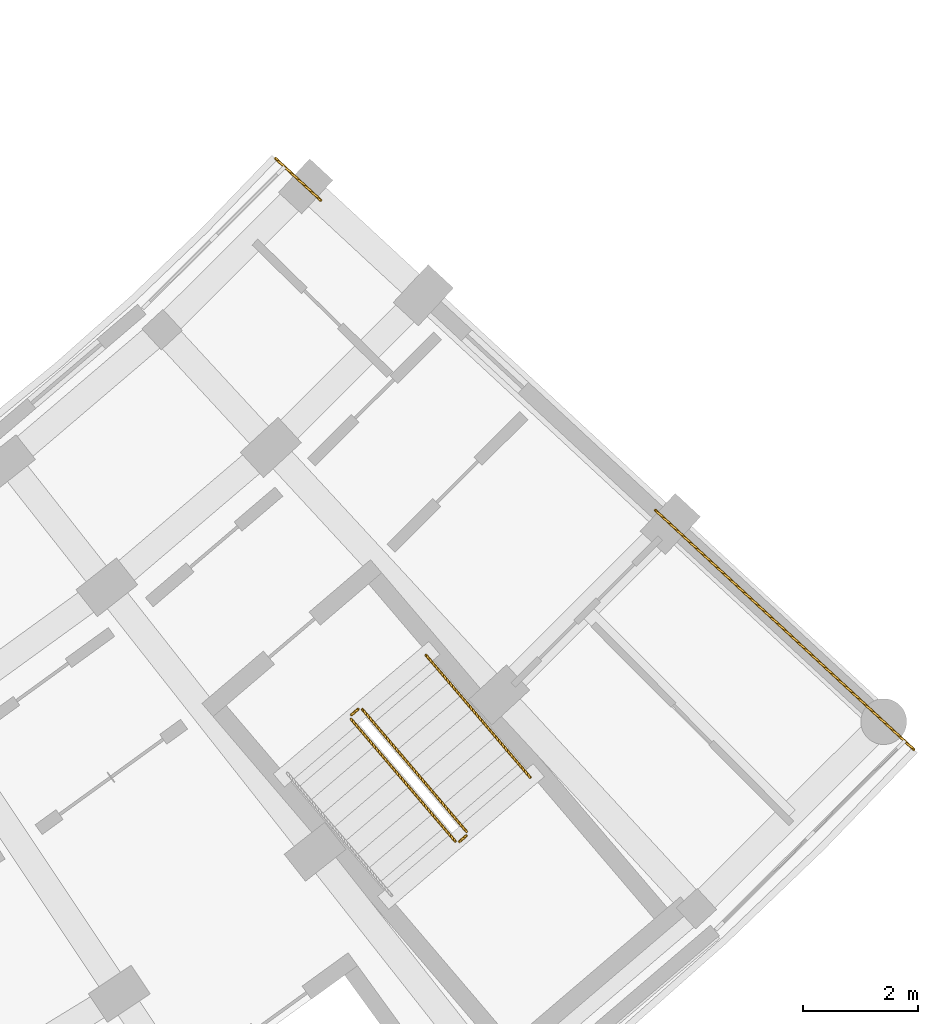
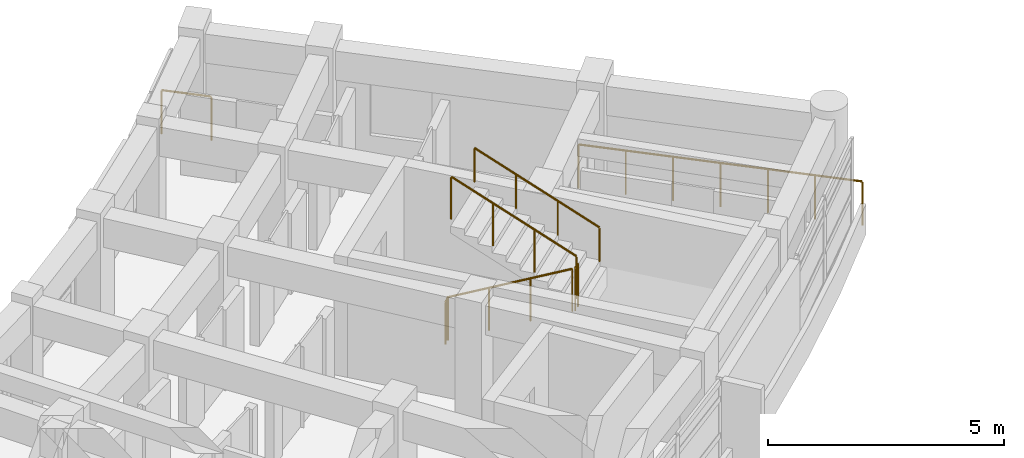
# One storey, part 70 of 70: 7 railings.
"""IFC4 building model written with IfcOpenShell, lengths in metres."""

from ifc_helpers import new_model, si_unit, direction, frame, origin, origin_2d, place, context, subcontext, project, spatial, circle, extrude, material, type_object, element, save


model = new_model("IFC4")

# Units and contexts
model_context = context("Model", 3, precision=1e-05, world=origin(), true_north=direction((0.0, 1.0)))
body_context = subcontext(model_context, "Body", "Model", "MODEL_VIEW")
ifc_project = project(units=[si_unit("LENGTHUNIT", "METRE"), si_unit("AREAUNIT", "SQUARE_METRE"), si_unit("VOLUMEUNIT", "CUBIC_METRE"), si_unit("PLANEANGLEUNIT", "RADIAN"), si_unit("MASSUNIT", "GRAM", prefix="KILO")], contexts=[model_context])

# Site, building, storey
site_placement = place(None, origin())
site = spatial("IfcSite", under=ifc_project, at=site_placement, CompositionType="ELEMENT")
building_placement = place(site_placement, origin())
building = spatial("IfcBuilding", under=site, at=building_placement, Name="Zimvara Arc Housing Community", CompositionType="ELEMENT")
storey_placement = place(building_placement, frame((0.0, 0.0, 8.10009765625)))
storey = spatial("IfcBuildingStorey", under=building, at=storey_placement, Name="L02", CompositionType="ELEMENT", Elevation=8.10009765625)

# Railings
ifc_material_1 = material(Name="Anodised Aluminium AW-6063", Category="aluminium")
railing_type_1 = type_object("IfcRailingType", Name="RLG-BAL-1120", PredefinedType="BALUSTRADE", material=ifc_material_1)
railing_1_placement = place(storey_placement, frame((159.87744140625, 69.900634765625, 0.15478515625)))
element("IfcRailing", 1, at=railing_1_placement, inside=storey, type_object=railing_type_1, Name="L02 ST-D2 stair guard 1", PredefinedType="BALUSTRADE", context=body_context, shape_type="SweptSolid", body=[
    extrude(circle(Radius=0.02392578125, at=origin_2d()), frame((0.0, 0.0, 1.09619140625), z_axis=(0.581041388364, -0.681489443978, 0.444930379672), x_axis=(0.760960200111, 0.648798561841, 0.0)), (0.0, 0.0, 1.0), 3.13525390625),
    extrude(circle(Radius=0.02099609375, at=origin_2d()), origin(), (0.0, 0.0, 1.0), 1.072021484375),
    extrude(circle(Radius=0.02099609375, at=origin_2d()), frame((0.607177734375, -0.712158203125, 0.465087890625)), (0.0, 0.0, 1.0), 1.072021484375),
    extrude(circle(Radius=0.02099609375, at=origin_2d()), frame((1.214599609375, -1.424560546875, 0.929931640625)), (0.0, 0.0, 1.0), 1.072021484375),
    extrude(circle(Radius=0.02099609375, at=origin_2d()), frame((1.82177734375, -2.13671875, 1.39501953125)), (0.0, 0.0, 1.0), 1.072021484375),
])
railing_2_placement = place(storey_placement, frame((161.76953125, 67.75830078125, 1.5498046875)))
element("IfcRailing", 2, at=railing_2_placement, inside=storey, type_object=railing_type_1, Name="L02 ST-D2 stair guard 2", PredefinedType="BALUSTRADE", context=body_context, shape_type="SweptSolid", body=[
    extrude(circle(Radius=0.02392578125, at=origin_2d()), frame((0.0, 0.0, 1.09619140625), z_axis=(0.761299014529, 0.648400964278, 0.0), x_axis=(-0.648400964278, 0.761299014529, 0.0)), (0.0, 0.0, 1.0), 0.159912109375),
    extrude(circle(Radius=0.02099609375, at=origin_2d()), origin(), (0.0, 0.0, 1.0), 1.072021484375),
    extrude(circle(Radius=0.02099609375, at=origin_2d()), frame((0.121826171875, 0.103759765625, 0.0)), (0.0, 0.0, 1.0), 1.072021484375),
])
railing_3_placement = place(storey_placement, frame((161.89697265625, 67.9326171875, 1.704833984375)))
element("IfcRailing", 3, at=railing_3_placement, inside=storey, type_object=railing_type_1, Name="L02 ST-D2 stair guard 3", PredefinedType="BALUSTRADE", context=body_context, shape_type="SweptSolid", body=[
    extrude(circle(Radius=0.02392578125, at=origin_2d()), frame((0.0, 0.0, 1.09619140625), z_axis=(-0.581041388364, 0.681489443978, 0.444930379672), x_axis=(-0.760960200111, -0.648798561841, 0.0)), (0.0, 0.0, 1.0), 3.13525390625),
    extrude(circle(Radius=0.02099609375, at=origin_2d()), origin(), (0.0, 0.0, 1.0), 1.072021484375),
    extrude(circle(Radius=0.02099609375, at=origin_2d()), frame((-0.607177734375, 0.712158203125, 0.465087890625)), (0.0, 0.0, 1.0), 1.072021484375),
    extrude(circle(Radius=0.02099609375, at=origin_2d()), frame((-1.214599609375, 1.424560546875, 0.929931640625)), (0.0, 0.0, 1.0), 1.072021484375),
    extrude(circle(Radius=0.02099609375, at=origin_2d()), frame((-1.82177734375, 2.13671875, 1.39501953125)), (0.0, 0.0, 1.0), 1.072021484375),
])
railing_4_placement = place(storey_placement, frame((159.883056640625, 69.97119140625, 0.0)))
element("IfcRailing", 4, at=railing_4_placement, inside=storey, type_object=railing_type_1, Name="L02 ST-D2 stair guard 4", PredefinedType="BALUSTRADE", context=body_context, shape_type="SweptSolid", body=[
    extrude(circle(Radius=0.02392578125, at=origin_2d()), frame((0.0, 0.0, 1.09619140625), z_axis=(0.760656476318, 0.649154623364, 0.0), x_axis=(-0.649154623364, 0.760656476318, 0.0)), (0.0, 0.0, 1.0), 0.159912109375),
    extrude(circle(Radius=0.02099609375, at=origin_2d()), origin(), (0.0, 0.0, 1.0), 1.072021484375),
    extrude(circle(Radius=0.02099609375, at=origin_2d()), frame((0.12158203125, 0.103759765625, 0.0)), (0.0, 0.0, 1.0), 1.072021484375),
])
ifc_material_2 = material(Name="Anodised Aluminium AW-6063", Category="aluminium")
railing_type_2 = type_object("IfcRailingType", Name="RLG-BAL-1150", PredefinedType="BALUSTRADE", material=ifc_material_2)
railing_5_placement = place(storey_placement, frame((158.5576171875, 79.69287109375, 0.0)))
element("IfcRailing", 5, at=railing_5_placement, inside=storey, type_object=railing_type_2, Name="rlg:blkD:L02:gable_in:gN", PredefinedType="BALUSTRADE", context=body_context, shape_type="SweptSolid", body=[
    extrude(circle(Radius=0.02392578125, at=origin_2d()), frame((0.0, 0.0, 1.1259765625), z_axis=(0.733710590348, -0.679462117864, 0.0), x_axis=(0.679462117864, 0.733710590348, 0.0)), (0.0, 0.0, 1.0), 1.080078125),
    extrude(circle(Radius=0.02099609375, at=origin_2d()), origin(), (0.0, 0.0, 1.0), 1.101806640625),
    extrude(circle(Radius=0.02099609375, at=origin_2d()), frame((0.79248046875, -0.73388671875, 0.0)), (0.0, 0.0, 1.0), 1.101806640625),
])
railing_6_placement = place(storey_placement, frame((165.1904296875, 73.550537109375, 0.0)))
element("IfcRailing", 6, at=railing_6_placement, inside=storey, type_object=railing_type_2, Name="rlg:blkD:L02:gable_out:gN", PredefinedType="BALUSTRADE", context=body_context, shape_type="SweptSolid", body=[
    extrude(circle(Radius=0.02392578125, at=origin_2d()), frame((0.0, 0.0, 1.1259765625), z_axis=(0.733734329214, -0.67943648278, 0.0), x_axis=(0.67943648278, 0.733734329214, 0.0)), (0.0, 0.0, 1.0), 6.159912109375),
    extrude(circle(Radius=0.02099609375, at=origin_2d()), origin(), (0.0, 0.0, 1.0), 1.101806640625),
    extrude(circle(Radius=0.02099609375, at=origin_2d()), frame((0.75341796875, -0.697509765625, 0.0)), (0.0, 0.0, 1.0), 1.101806640625),
    extrude(circle(Radius=0.02099609375, at=origin_2d()), frame((1.506591796875, -1.39501953125, 0.0)), (0.0, 0.0, 1.0), 1.101806640625),
    extrude(circle(Radius=0.02099609375, at=origin_2d()), frame((2.259765625, -2.0927734375, 0.0)), (0.0, 0.0, 1.0), 1.101806640625),
    extrude(circle(Radius=0.02099609375, at=origin_2d()), frame((3.01318359375, -2.790283203125, 0.0)), (0.0, 0.0, 1.0), 1.101806640625),
    extrude(circle(Radius=0.02099609375, at=origin_2d()), frame((3.7666015625, -3.48779296875, 0.0)), (0.0, 0.0, 1.0), 1.101806640625),
    extrude(circle(Radius=0.02099609375, at=origin_2d()), frame((4.519775390625, -4.185302734375, 0.0)), (0.0, 0.0, 1.0), 1.101806640625),
])
ifc_material_3 = material(Name="Anodised Aluminium AW-6063", Category="aluminium")
railing_type_3 = type_object("IfcRailingType", Name="RLG-HND-900", PredefinedType="HANDRAIL", material=ifc_material_3)
railing_7_placement = place(storey_placement, frame((163.008056640625, 68.8798828125, 1.704833984375)))
element("IfcRailing", 7, at=railing_7_placement, inside=storey, type_object=railing_type_3, Name="L02 ST-D2 stair handrail 2", PredefinedType="HANDRAIL", context=body_context, shape_type="SweptSolid", body=[
    extrude(circle(Radius=0.02392578125, at=origin_2d()), frame((0.0, 0.0, 0.8759765625), z_axis=(-0.581041388364, 0.681489443978, 0.444930379672), x_axis=(-0.760960200111, -0.648798561841, 0.0)), (0.0, 0.0, 1.0), 3.13525390625),
    extrude(circle(Radius=0.02099609375, at=origin_2d()), origin(), (0.0, 0.0, 1.0), 0.851806640625),
    extrude(circle(Radius=0.02099609375, at=origin_2d()), frame((-0.607177734375, 0.712158203125, 0.465087890625)), (0.0, 0.0, 1.0), 0.851806640625),
    extrude(circle(Radius=0.02099609375, at=origin_2d()), frame((-1.214599609375, 1.424560546875, 0.929931640625)), (0.0, 0.0, 1.0), 0.851806640625),
    extrude(circle(Radius=0.02099609375, at=origin_2d()), frame((-1.82177734375, 2.13671875, 1.39501953125)), (0.0, 0.0, 1.0), 0.851806640625),
])

save(model, "model.ifc")
